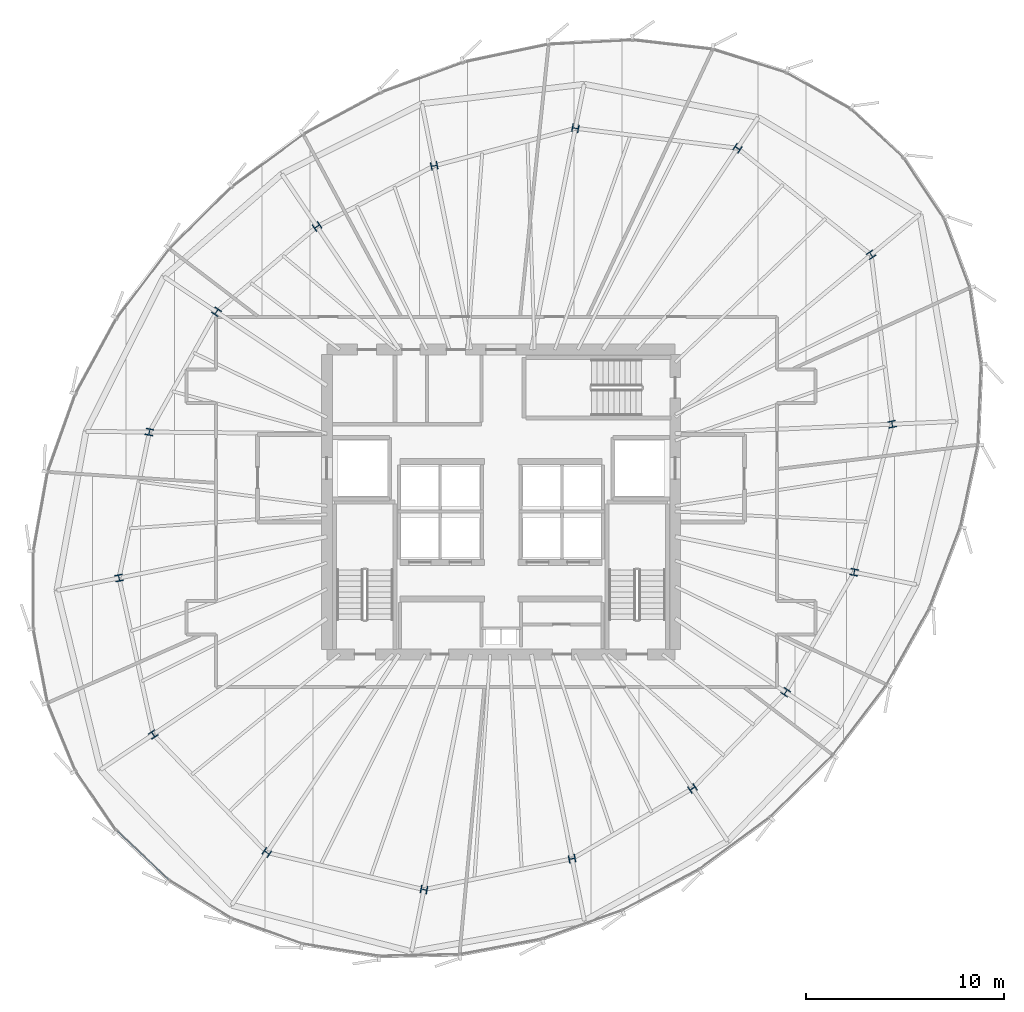
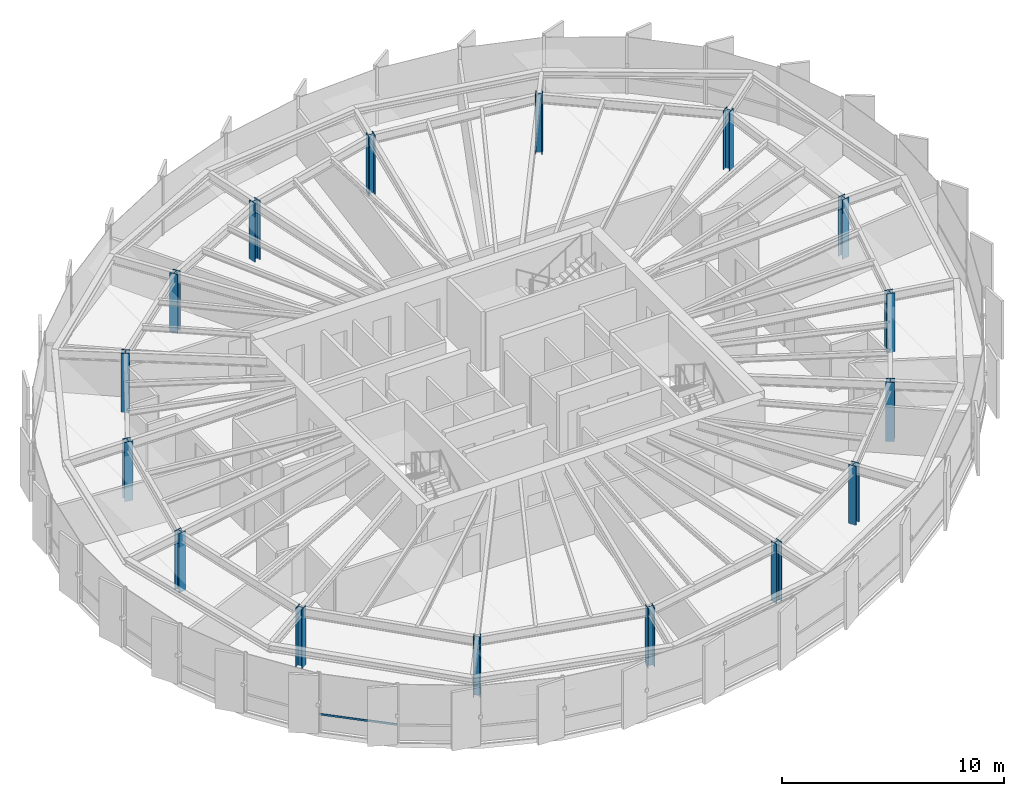
# One storey, part 1 of 36: 16 columns, 1 member, 1 element without a shape of its own.
"""IFC4 building model written with IfcOpenShell, lengths in metres."""

import ifcopenshell
import ifcopenshell.guid

model = None  # the IFC model being written
_history = None  # IfcOwnerHistory: only IFC2X3 demands one
_inside = {}  # id of a spatial element -> (the spatial element, [elements in it])
_under = {}  # id of a project, library or spatial element -> (it, [spatial elements below it])
_declared = {}  # id of a project -> (the project, [libraries it declares])
_typed = {}  # id of a type object -> (the type object, [elements of that type])
_made_of = {}  # id of a material, layer set ... -> (it, [elements and type objects made of it])


def new_model(schema):
    """Start an empty IFC model of exactly this schema.

    Asked for "IFC4X3", IfcOpenShell would pick the latest addendum, in which some entities
    have other attributes; the version numbers below select the first issue.
    IFC2X3 requires an IfcOwnerHistory on every rooted entity: one is made here for all.
    """
    global model, _history
    if schema == "IFC4X3":
        model = ifcopenshell.file(schema_version=(4, 3, 0, 0))
    else:
        model = ifcopenshell.file(schema=schema)
    _inside.clear()
    _under.clear()
    _declared.clear()
    _typed.clear()
    _made_of.clear()
    _history = None
    if model.schema == "IFC2X3":
        org = make("IfcOrganization", Name="unknown")
        user = make(
            "IfcPersonAndOrganization",
            ThePerson=make("IfcPerson", FamilyName="unknown"),
            TheOrganization=org,
        )
        app = make(
            "IfcApplication",
            ApplicationDeveloper=org,
            Version="unknown",
            ApplicationFullName="unknown",
            ApplicationIdentifier="unknown",
        )
        _history = make(
            "IfcOwnerHistory",
            OwningUser=user,
            OwningApplication=app,
            ChangeAction="ADDED",
            CreationDate=0,
        )
    return model


def make(cls, **values):
    """One entity of the class cls with the attributes given. An attribute that is None is left unset."""
    return model.create_entity(
        cls, **{name: value for name, value in values.items() if value is not None}
    )


def rooted(cls, **values):
    """An entity with a GlobalId (a new one), such as an element, a storey or a relation."""
    return make(cls, GlobalId=ifcopenshell.guid.new(), OwnerHistory=_history, **values)


def si_unit(unit_type, name, prefix=None):
    """IfcSIUnit, for example si_unit("LENGTHUNIT", "METRE", prefix="MILLI")."""
    return make("IfcSIUnit", UnitType=unit_type, Prefix=prefix, Name=name)


def assignment(units):
    """IfcUnitAssignment: the units of a project."""
    return None if units is None else make("IfcUnitAssignment", Units=units)


def point(xyz):
    """IfcCartesianPoint."""
    return None if xyz is None else make("IfcCartesianPoint", Coordinates=xyz)


def direction(xyz):
    """IfcDirection."""
    return None if xyz is None else make("IfcDirection", DirectionRatios=xyz)


def frame(location, z_axis=None, x_axis=None):
    """IfcAxis2Placement3D, a coordinate frame: its origin and axes. An axis left out is left unset."""
    return make(
        "IfcAxis2Placement3D",
        Location=point(location),
        Axis=direction(z_axis),
        RefDirection=direction(x_axis),
    )


def frame_2d(location, x_axis=None):
    """IfcAxis2Placement2D, a coordinate frame in the plane: its origin and x axis."""
    return make(
        "IfcAxis2Placement2D", Location=point(location), RefDirection=direction(x_axis)
    )


def origin():
    """The frame at (0, 0, 0) with its axes left unset."""
    return frame((0.0, 0.0, 0.0))


def origin_2d():
    """The frame at (0, 0) in the plane with its x axis left unset."""
    return frame_2d((0.0, 0.0))


def place(relative_to, where):
    """IfcLocalPlacement: puts the frame where relative to a parent placement (None: the world)."""
    return make(
        "IfcLocalPlacement", PlacementRelTo=relative_to, RelativePlacement=where
    )


def context(
    kind, dimensions, precision=None, world=None, true_north=None, identifier=None
):
    """IfcGeometricRepresentationContext, for example the 3D "Model" context."""
    return make(
        "IfcGeometricRepresentationContext",
        ContextIdentifier=identifier,
        ContextType=kind,
        CoordinateSpaceDimension=dimensions,
        Precision=precision,
        WorldCoordinateSystem=world,
        TrueNorth=true_north,
    )


def subcontext(parent, identifier, kind, view, scale=None):
    """IfcGeometricRepresentationSubContext, for example "Body" below "Model"."""
    return make(
        "IfcGeometricRepresentationSubContext",
        ContextIdentifier=identifier,
        ContextType=kind,
        ParentContext=parent,
        TargetScale=scale,
        TargetView=view,
    )


def project(units=None, contexts=None):
    """IfcProject with its units and contexts."""
    return rooted(
        "IfcProject",
        Name="project",
        RepresentationContexts=contexts,
        UnitsInContext=assignment(units),
    )


def spatial(cls, under=None, at=None, **own):
    """A site, building, storey or space (cls), placed at a placement, below another one or the project."""
    s = rooted(cls, ObjectPlacement=at, **own)
    if under is not None:
        _under.setdefault(under.id(), (under, []))[1].append(s)
    return s


def profile(cls, at=None, kind="AREA", **sizes):
    """A parametric profile (cls). Its sizes go by their IFC names, for example OverallWidth=200.0."""
    return make(cls, ProfileType=kind, Position=at, **sizes)


def hollow_rectangle(**sizes):
    """IfcRectangleHollowProfileDef."""
    return profile("IfcRectangleHollowProfileDef", **sizes)


def i_section(**sizes):
    """IfcIShapeProfileDef."""
    return profile("IfcIShapeProfileDef", **sizes)


def extrude(swept, where, along, depth):
    """IfcExtrudedAreaSolid: the profile swept, set in the frame where, extruded along a direction by depth."""
    return make(
        "IfcExtrudedAreaSolid",
        SweptArea=swept,
        Position=where,
        ExtrudedDirection=direction(along),
        Depth=depth,
    )


def shape(context_of_items, identifier, shape_type, items):
    """IfcShapeRepresentation: the items that make up one representation, for example the "Body"."""
    return make(
        "IfcShapeRepresentation",
        ContextOfItems=context_of_items,
        RepresentationIdentifier=identifier,
        RepresentationType=shape_type,
        Items=items,
    )


def source(mapping_origin, context_of_items, identifier, shape_type, items):
    """IfcRepresentationMap: a shape defined once, which mapped items show again and again."""
    return make(
        "IfcRepresentationMap",
        MappingOrigin=mapping_origin,
        MappedRepresentation=shape(context_of_items, identifier, shape_type, items),
    )


def transform(
    local_origin,
    x_axis=None,
    y_axis=None,
    z_axis=None,
    scale=None,
    scale2=None,
    scale3=None,
    uniform=True,
):
    """IfcCartesianTransformationOperator3D, or its non-uniform kind. x_axis, y_axis, z_axis: its Axis1, 2, 3."""
    if uniform:
        return make(
            "IfcCartesianTransformationOperator3D",
            Axis1=direction(x_axis),
            Axis2=direction(y_axis),
            LocalOrigin=point(local_origin),
            Scale=scale,
            Axis3=direction(z_axis),
        )
    return make(
        "IfcCartesianTransformationOperator3DnonUniform",
        Axis1=direction(x_axis),
        Axis2=direction(y_axis),
        LocalOrigin=point(local_origin),
        Scale=scale,
        Axis3=direction(z_axis),
        Scale2=scale2,
        Scale3=scale3,
    )


def mapped(mapping_source, mapping_target):
    """IfcMappedItem: shows the shape of a source again, moved by a transform."""
    return make(
        "IfcMappedItem", MappingSource=mapping_source, MappingTarget=mapping_target
    )


def material(Name=None, Category=None):
    """IfcMaterial."""
    return make("IfcMaterial", Name=Name, Category=Category)


def layer(
    of_material, thickness, ventilated=None, Name=None, Category=None, Priority=None
):
    """IfcMaterialLayer: one layer of a wall or slab, of a material (None: an air gap)."""
    return make(
        "IfcMaterialLayer",
        Material=of_material,
        LayerThickness=thickness,
        IsVentilated=ventilated,
        Name=Name,
        Category=Category,
        Priority=Priority,
    )


def layer_set(layers, Name=None):
    """IfcMaterialLayerSet."""
    return make("IfcMaterialLayerSet", MaterialLayers=layers, LayerSetName=Name)


def material_profile(
    of_material, cross_section, Name=None, Category=None, Priority=None
):
    """IfcMaterialProfile: a cross section and its material."""
    return make(
        "IfcMaterialProfile",
        Name=Name,
        Material=of_material,
        Profile=cross_section,
        Priority=Priority,
        Category=Category,
    )


def profile_set(profiles, Name=None, composite=None):
    """IfcMaterialProfileSet."""
    return make(
        "IfcMaterialProfileSet",
        Name=Name,
        MaterialProfiles=profiles,
        CompositeProfile=composite,
    )


def made_of(thing, what):
    """Note that an element or type object is made of a material, layer set ...; save() writes the relation."""
    if what is not None:
        _made_of.setdefault(what.id(), (what, []))[1].append(thing)
    return thing


def type_object(cls, material=None, **own):
    """A type object (cls), such as IfcWallType, which elements share."""
    return made_of(rooted(cls, **own), material)


def element(
    cls,
    number,
    at=None,
    inside=None,
    cuts=None,
    type_object=None,
    material=None,
    context=None,
    identifier="Body",
    shape_type=None,
    held_by="IfcProductDefinitionShape",
    body=None,
    shapes=None,
    **own,
):
    """One element of the class cls, such as IfcWall. Its Tag is "e" and its number.

    at: its placement. inside: the storey or other place that contains it. cuts: it is an
    opening in that element (IfcRelVoidsElement). A single representation is given by context,
    identifier, shape_type and body (its items); several are given by shapes. held_by: the class
    of the entity that holds the representations. save() writes the other relations.
    """
    e = rooted(cls, Tag="e%d" % number, ObjectPlacement=at, **own)
    if body is not None:
        shapes = [shape(context, identifier, shape_type, body)]
    if shapes is not None:
        e.Representation = make(held_by, Representations=shapes)
    if inside is not None:
        _inside.setdefault(inside.id(), (inside, []))[1].append(e)
    if cuts is not None:
        rooted(
            "IfcRelVoidsElement", RelatingBuildingElement=cuts, RelatedOpeningElement=e
        )
    if type_object is not None:
        _typed.setdefault(type_object.id(), (type_object, []))[1].append(e)
    return made_of(e, material)


def aggregate(whole, parts):
    """IfcRelAggregates: a whole, such as a stair, and the parts it consists of."""
    return rooted("IfcRelAggregates", RelatingObject=whole, RelatedObjects=parts)


def save(model, path):
    """Write the relations noted so far, then the file.

    IfcRelAggregates (storeys below a building ...), IfcRelContainedInSpatialStructure (elements
    in a storey), IfcRelDefinesByType, IfcRelAssociatesMaterial and IfcRelDeclares: one each for
    every whole, place, type object, material and project.
    """
    for whole, parts in _under.values():
        aggregate(whole, parts)
    for where, things in _inside.values():
        rooted(
            "IfcRelContainedInSpatialStructure",
            RelatedElements=things,
            RelatingStructure=where,
        )
    for kind, things in _typed.values():
        rooted("IfcRelDefinesByType", RelatedObjects=things, RelatingType=kind)
    for what, things in _made_of.values():
        rooted("IfcRelAssociatesMaterial", RelatedObjects=things, RelatingMaterial=what)
    for by, libraries in _declared.values():
        rooted("IfcRelDeclares", RelatingContext=by, RelatedDefinitions=libraries)
    model.write(path)


model = new_model("IFC4")

# Units and contexts
model_context = context("Model", 3, precision=1e-05, world=origin(), true_north=direction((0.0, 1.0)))
body_context = subcontext(model_context, "Body", "Model", "MODEL_VIEW")
ifc_project = project(units=[si_unit("LENGTHUNIT", "METRE"), si_unit("AREAUNIT", "SQUARE_METRE"), si_unit("VOLUMEUNIT", "CUBIC_METRE"), si_unit("PLANEANGLEUNIT", "RADIAN"), si_unit("MASSUNIT", "GRAM", prefix="KILO"), si_unit("THERMODYNAMICTEMPERATUREUNIT", "KELVIN")], contexts=[model_context])

# Site, building, storey
site_placement = place(None, origin())
site = spatial("IfcSite", under=ifc_project, at=site_placement, CompositionType="ELEMENT")
building_placement = place(site_placement, origin())
building = spatial("IfcBuilding", under=site, at=building_placement, Name="Kethvar Cultural Tower", CompositionType="ELEMENT")
storey_placement = place(building_placement, frame((0.0, 0.0, 197.39990234375)))
storey = spatial("IfcBuildingStorey", under=building, at=storey_placement, Name="L51", CompositionType="ELEMENT", Elevation=197.39990234375)

# Columns
ifc_material_1 = material(Name="Steel S460M", Category="steel")
ifc_material_profile_1 = material_profile(ifc_material_1, i_section(OverallWidth=0.39111328125, OverallDepth=0.3349609375, WebThickness=0.022705078125, FlangeThickness=0.033935546875, FilletRadius=0.014892578125, at=origin_2d()), Name="Steel S460M — HD400x463")
ifc_profile_set_1 = profile_set([ifc_material_profile_1], Name="Steel S460M — HD400x463")
column_type = type_object("IfcColumnType", Name="COL-HD463", PredefinedType="COLUMN", material=ifc_profile_set_1)
shared_shape_1 = source(origin(), body_context, "Body", "SweptSolid", [
    extrude(i_section(OverallWidth=0.39111328125, OverallDepth=0.3349609375, WebThickness=0.022705078125, FlangeThickness=0.033935546875, FilletRadius=0.014892578125, at=origin_2d()), origin(), (0.0, 0.0, 1.0), 3.260009765625),
])
for number, where, z_axis, x_axis, name in (
    (1, (66.56396484375, 31.731201171875, 0.0), (0.0, 0.0, 1.0), (0.980785280403, 0.195090322016, 0.0), "L51 Mega-Column MC-01"),
    (2, (65.504150390625, 40.297607421875, 0.0), (0.0, 0.0, 1.0), (0.831469612303, 0.55557023302, 0.0), "L51 Mega-Column MC-02"),
    (3, (58.748046875, 45.681396484375, 0.0), (0.0, 0.0, 1.0), (0.55557023302, 0.831469612303, 0.0), "L51 Mega-Column MC-03"),
    (4, (50.556884765625, 46.6875, 0.0), (0.0, 0.0, 1.0), (0.195090322016, 0.980785280403, 0.0), "L51 Mega-Column MC-04"),
    (5, (43.420654296875, 44.789306640625, 0.0), (0.0, 0.0, 1.0), (-0.195090322016, 0.980785280403, 0.0), "L51 Mega-Column MC-05"),
    (6, (37.498779296875, 41.720458984375, 0.0), (0.0, 0.0, 1.0), (-0.55557023302, 0.831469612303, 0.0), "L51 Mega-Column MC-06"),
    (7, (32.418212890625, 37.409423828125, 0.0), (0.0, 0.0, 1.0), (-0.831469612303, 0.55557023302, 0.0), "L51 Mega-Column MC-07"),
    (8, (29.02490234375, 31.335693359375, 0.0), (0.0, 0.0, 1.0), (-0.980785280403, 0.195090322016, 0.0), "L51 Mega-Column MC-08"),
    (9, (27.492919921875, 23.959716796875, 0.0), (0.0, 0.0, 1.0), (-0.980785280403, -0.195090322016, 0.0), "L51 Mega-Column MC-09"),
    (10, (29.217529296875, 16.0517578125, 0.0), (0.0, 0.0, 1.0), (-0.831469612303, -0.55557023302, 0.0), "L51 Mega-Column MC-10"),
    (11, (34.962646484375, 10.084228515625, 0.0), (0.0, 0.0, 1.0), (-0.55557023302, -0.831469612303, 0.0), "L51 Mega-Column MC-11"),
    (12, (42.903564453125, 8.2109375, 0.0), (0.0, 0.0, 1.0), (-0.195090322016, -0.980785280403, 0.0), "L51 Mega-Column MC-12"),
    (13, (50.38671875, 9.7685546875, 0.0), (0.0, 0.0, 1.0), (0.195090322016, -0.980785280403, 0.0), "L51 Mega-Column MC-13"),
    (14, (56.474609375, 13.32080078125, 0.0), (0.0, 0.0, 1.0), (0.55557023302, -0.831469612303, 0.0), "L51 Mega-Column MC-14"),
    (15, (61.1826171875, 18.18994140625, 0.0), (0.0, 0.0, 1.0), (0.831469612303, -0.55557023302, 0.0), "L51 Mega-Column MC-15"),
    (16, (64.648681640625, 24.249755859375, 0.0), (0.0, 0.0, 1.0), (0.980785280403, -0.195090322016, 0.0), "L51 Mega-Column MC-16"),
):
    element("IfcColumn", number, at=place(storey_placement, frame(where, z_axis=z_axis, x_axis=x_axis)), inside=storey, type_object=column_type, Name=name, PredefinedType="COLUMN", context=body_context, shape_type="MappedRepresentation", body=[
        mapped(shared_shape_1, transform((0.0, 0.0, 0.0), scale=1.0)),
    ])

# Curtain wall, member
ifc_material_2 = material(Name="Aluminium 6063-T6", Category="aluminium")
ifc_layer = layer(ifc_material_2, 0.179931640625, Name="Aluminium 6063-T6", Category="aluminium")
ifc_layer_set = layer_set([ifc_layer], Name="Aluminium 6063-T6 (180 mm)")
curtain_wall_type = type_object("IfcCurtainWallType", Name="CW-SYS-04-Z34", PredefinedType="NOTDEFINED", material=ifc_layer_set)
curtain_wall_placement = place(storey_placement, origin())
curtain_wall = element("IfcCurtainWall", 17, at=curtain_wall_placement, inside=storey, type_object=curtain_wall_type, Name="L51 Curtain Wall Run 04", PredefinedType="NOTDEFINED")
ifc_material_profile_2 = material_profile(ifc_material_2, hollow_rectangle(XDim=0.050048828125, YDim=0.10009765625, WallThickness=0.00390625, at=origin_2d()), Name="Aluminium 6063-T6 — RHS100x50x4")
ifc_profile_set_2 = profile_set([ifc_material_profile_2], Name="Aluminium 6063-T6 — RHS100x50x4")
member_type = type_object("IfcMemberType", Name="CW-SYS-04-Z34-TRN", PredefinedType="USERDEFINED", material=ifc_profile_set_2)
shared_shape_2 = source(origin(), body_context, "Body", "SweptSolid", [
    extrude(hollow_rectangle(XDim=0.050048828125, YDim=0.10009765625, WallThickness=0.00390625, at=origin_2d()), origin(), (0.0, 0.0, 1.0), 3.587890625),
])
member_placement = place(storey_placement, frame((27.390625, 11.181640625, 0.9501953125), z_axis=(0.72653176473, -0.687132880045, 0.0), x_axis=(0.687132880045, 0.72653176473, 0.0)))
member = element("IfcMember", 18, at=member_placement, type_object=member_type, Name="CW-L51-R04 Transom 1", ObjectType="TRANSOM", PredefinedType="USERDEFINED", context=body_context, shape_type="MappedRepresentation", body=[
    mapped(shared_shape_2, transform((0.0, 0.0, 0.0), scale=1.0)),
])
aggregate(curtain_wall, [member])

save(model, "model.ifc")
